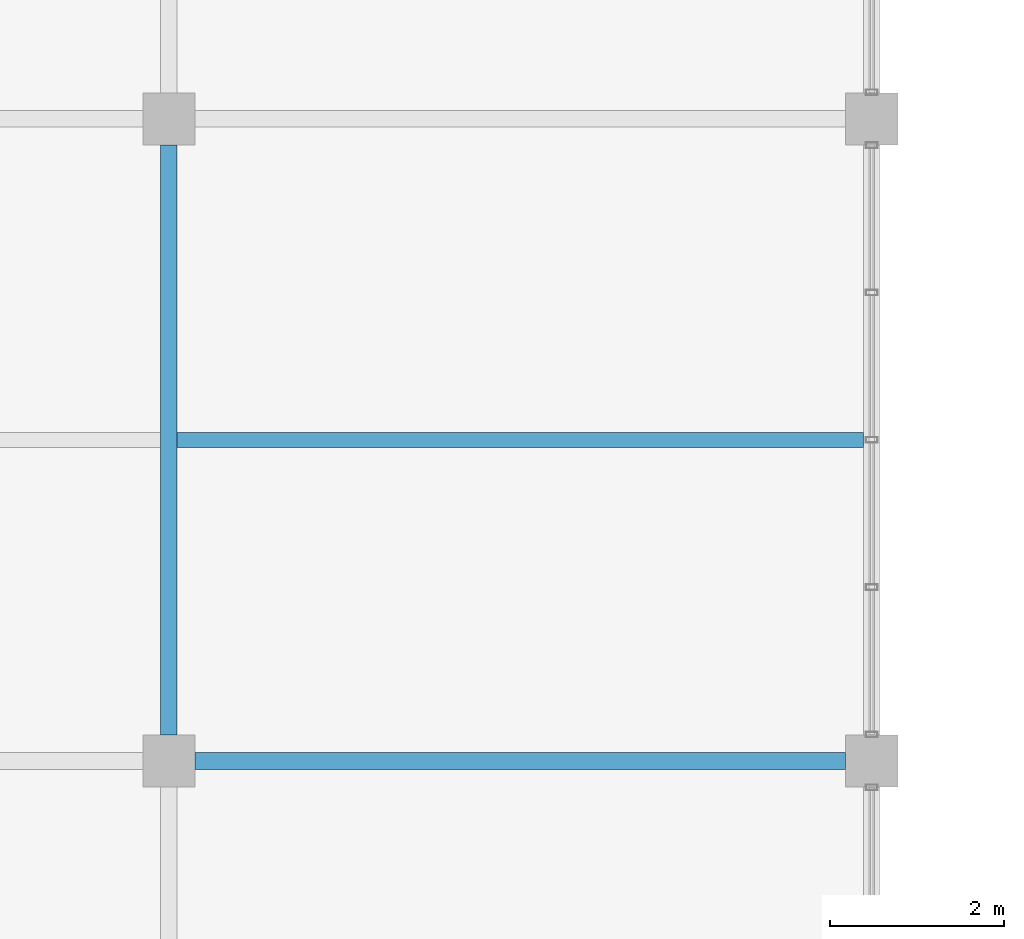
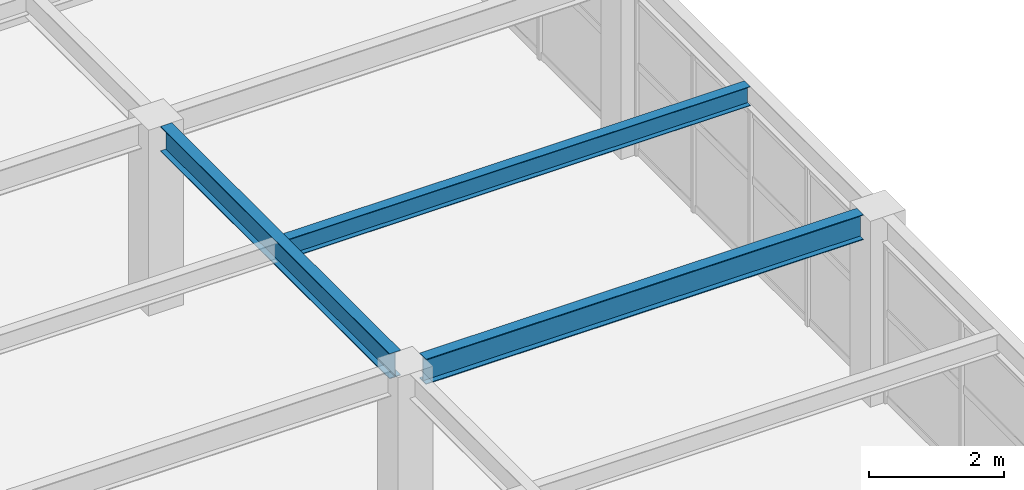
# One storey, part 49 of 121: 3 beams.
"""IFC4 building model written with IfcOpenShell, lengths in metres."""

from ifc_helpers import new_model, si_unit, direction, frame, origin, origin_2d, place, context, subcontext, project, spatial, i_section, extrude, material, material_profile, profile_set, type_object, element, save


model = new_model("IFC4")

# Units and contexts
model_context = context("Model", 3, precision=1e-05, world=origin(), true_north=direction((0.0, 1.0)))
body_context = subcontext(model_context, "Body", "Model", "MODEL_VIEW")
ifc_project = project(units=[si_unit("LENGTHUNIT", "METRE"), si_unit("AREAUNIT", "SQUARE_METRE"), si_unit("VOLUMEUNIT", "CUBIC_METRE"), si_unit("PLANEANGLEUNIT", "RADIAN"), si_unit("MASSUNIT", "GRAM", prefix="KILO")], contexts=[model_context])

# Site, building, storey
site_placement = place(None, origin())
site = spatial("IfcSite", under=ifc_project, at=site_placement, CompositionType="ELEMENT")
building_placement = place(site_placement, origin())
building = spatial("IfcBuilding", under=site, at=building_placement, Name="Cimatlan Art Gallery", CompositionType="ELEMENT")
storey_placement = place(building_placement, frame((0.0, 0.0, 10.199951171875)))
storey = spatial("IfcBuildingStorey", under=building, at=storey_placement, Name="L02", CompositionType="ELEMENT", Elevation=10.199951171875)

# Beams
ifc_material = material(Name="Steel ASTM A992 Grade 50", Category="steel")
ifc_material_profile_1 = material_profile(ifc_material, i_section(OverallWidth=0.1708984375, OverallDepth=0.35107421875, WebThickness=0.0068359375, FlangeThickness=0.009765625, at=origin_2d()), Name="W14X30")
ifc_profile_set_1 = profile_set([ifc_material_profile_1], Name="Steel ASTM A992 Grade 50")
beam_type_1 = type_object("IfcBeamType", Name="BM-STL-W14X30", PredefinedType="JOIST", material=ifc_profile_set_1)
beam_1_placement = place(storey_placement, frame((42.595458984375, 79.39990234375, 3.194580078125), z_axis=(1.0, 0.0, 0.0), x_axis=(0.0, 1.0, 0.0)))
element("IfcBeam", 1, at=beam_1_placement, inside=storey, type_object=beam_type_1, Name="JST-L02-05-10", PredefinedType="JOIST", context=body_context, shape_type="SweptSolid", body=[
    extrude(i_section(OverallWidth=0.1708984375, OverallDepth=0.35107421875, WebThickness=0.0068359375, FlangeThickness=0.009765625, at=origin_2d()), origin(), (0.0, 0.0, 1.0), 7.908935546875),
])
ifc_material_profile_2 = material_profile(ifc_material, i_section(OverallWidth=0.19091796875, OverallDepth=0.45703125, WebThickness=0.009033203125, FlangeThickness=0.014404296875, at=origin_2d()), Name="W18X50")
ifc_profile_set_2 = profile_set([ifc_material_profile_2], Name="Steel ASTM A992 Grade 50")
beam_type_2 = type_object("IfcBeamType", Name="BM-STL-W18X50", PredefinedType="BEAM", material=ifc_profile_set_2)
beam_2_placement = place(storey_placement, frame((42.5, 76.0, 3.1416015625), z_axis=(0.0, 1.0, 0.0), x_axis=(-1.0, 0.0, 0.0)))
element("IfcBeam", 2, at=beam_2_placement, inside=storey, type_object=beam_type_2, Name="BM-Y-L02-05-10", PredefinedType="BEAM", context=body_context, shape_type="SweptSolid", body=[
    extrude(i_section(OverallWidth=0.19091796875, OverallDepth=0.45703125, WebThickness=0.009033203125, FlangeThickness=0.014404296875, at=origin_2d()), origin(), (0.0, 0.0, 1.0), 6.800048828125),
])
beam_3_placement = place(storey_placement, frame((42.800048828125, 75.699951171875, 3.1416015625), z_axis=(1.0, 0.0, 0.0), x_axis=(0.0, 1.0, 0.0)))
element("IfcBeam", 3, at=beam_3_placement, inside=storey, type_object=beam_type_2, Name="BM-X-L02-05-10", PredefinedType="BEAM", context=body_context, shape_type="SweptSolid", body=[
    extrude(i_section(OverallWidth=0.19091796875, OverallDepth=0.45703125, WebThickness=0.009033203125, FlangeThickness=0.014404296875, at=origin_2d()), origin(), (0.0, 0.0, 1.0), 7.5),
])

save(model, "model.ifc")
